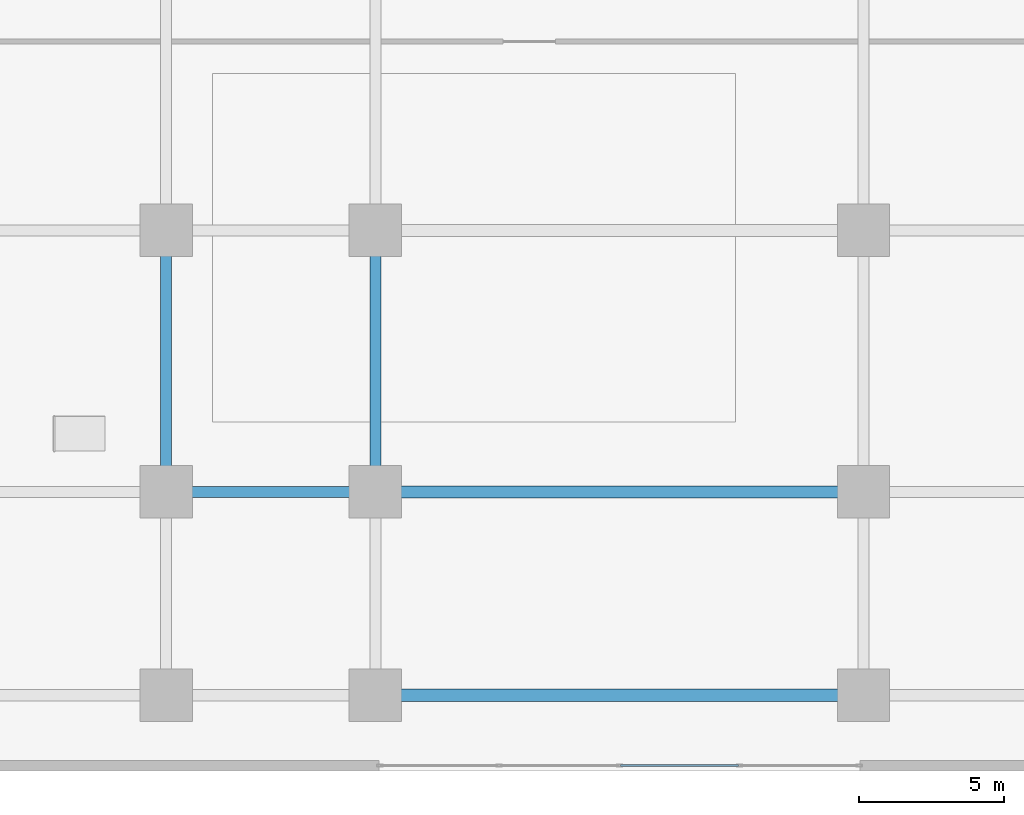
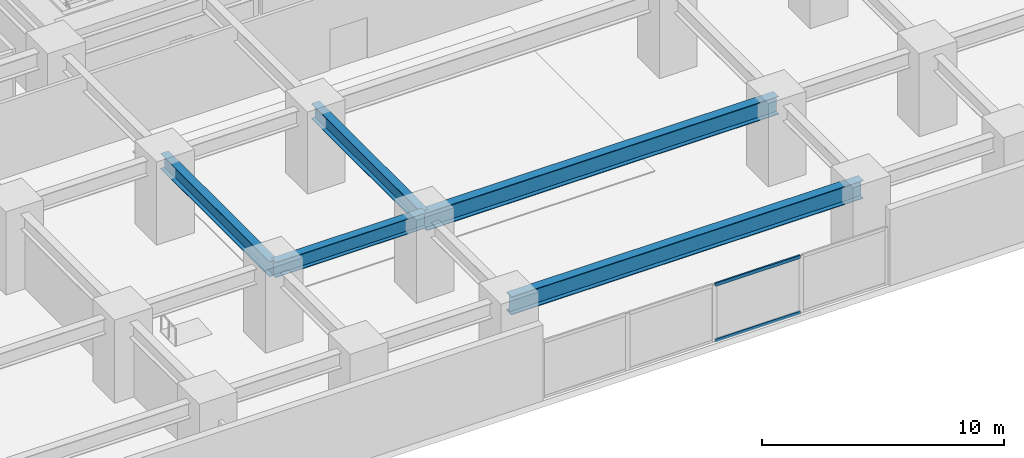
# One storey, part 3 of 22: 5 beams, 2 members, 1 element without a shape of its own.
"""IFC4 building model written with IfcOpenShell, lengths in metres."""

from ifc_helpers import new_model, si_unit, direction, frame, origin, origin_2d, place, context, subcontext, project, spatial, hollow_rectangle, i_section, extrude, material, layer, layer_set, material_profile, profile_set, type_object, element, aggregate, save


model = new_model("IFC4")

# Units and contexts
model_context = context("Model", 3, precision=1e-05, world=origin(), true_north=direction((0.0, 1.0)))
body_context = subcontext(model_context, "Body", "Model", "MODEL_VIEW")
ifc_project = project(units=[si_unit("LENGTHUNIT", "METRE"), si_unit("AREAUNIT", "SQUARE_METRE"), si_unit("VOLUMEUNIT", "CUBIC_METRE"), si_unit("PLANEANGLEUNIT", "RADIAN"), si_unit("MASSUNIT", "GRAM", prefix="KILO")], contexts=[model_context])

# Site, building, storey
site_placement = place(None, origin())
site = spatial("IfcSite", under=ifc_project, at=site_placement, CompositionType="ELEMENT")
building_placement = place(site_placement, origin())
building = spatial("IfcBuilding", under=site, at=building_placement, Name="Kiyonajd Concourse Tower", CompositionType="ELEMENT")
storey_placement = place(building_placement, frame((0.0, 0.0, 12.89990234375)))
storey = spatial("IfcBuildingStorey", under=building, at=storey_placement, Name="L04", CompositionType="ELEMENT", Elevation=12.89990234375)

# Beams
ifc_material_1 = material(Name="Steel ASTM A992 Grade 50", Category="steel")
ifc_material_profile_1 = material_profile(ifc_material_1, i_section(OverallWidth=0.41796875, OverallDepth=0.912109375, WebThickness=0.019287109375, FlangeThickness=0.031982421875, at=origin_2d()), Name="W920X342")
ifc_profile_set_1 = profile_set([ifc_material_profile_1], Name="Steel ASTM A992 Grade 50")
beam_type_1 = type_object("IfcBeamType", Name="BM-CON-920B", PredefinedType="BEAM", material=ifc_profile_set_1)
for number, where, z_axis, x_axis, name in (
    (1, (39.60009765625, 2.60009765625, 3.384033203125), (1.0, 0.0, 0.0), (0.0, 1.0, 0.0), "L04 Concourse Clear Span Girder"),
    (2, (39.60009765625, 9.60009765625, 3.384033203125), (1.0, 0.0, 0.0), (0.0, 1.0, 0.0), "L04 Concourse Clear Span Girder"),
):
    element("IfcBeam", number, at=place(storey_placement, frame(where, z_axis=z_axis, x_axis=x_axis)), inside=storey, type_object=beam_type_1, Name=name, PredefinedType="BEAM", context=body_context, shape_type="SweptSolid", body=[
        extrude(i_section(OverallWidth=0.41796875, OverallDepth=0.912109375, WebThickness=0.019287109375, FlangeThickness=0.031982421875, at=origin_2d()), origin(), (0.0, 0.0, 1.0), 16.7998046875),
    ])
ifc_material_profile_2 = material_profile(ifc_material_1, i_section(OverallWidth=0.381103515625, OverallDepth=0.77294921875, WebThickness=0.0166015625, FlangeThickness=0.027099609375, at=origin_2d()), Name="W760X257")
ifc_profile_set_2 = profile_set([ifc_material_profile_2], Name="Steel ASTM A992 Grade 50")
beam_type_2 = type_object("IfcBeamType", Name="BM-POD-760", PredefinedType="BEAM", material=ifc_profile_set_2)
beam_placement = place(storey_placement, frame((32.39990234375, 9.60009765625, 3.45361328125), z_axis=(1.0, 0.0, 0.0), x_axis=(0.0, 1.0, 0.0)))
element("IfcBeam", 3, at=beam_placement, inside=storey, type_object=beam_type_2, Name="L04 Podium Primary Beam", PredefinedType="BEAM", context=body_context, shape_type="SweptSolid", body=[
    extrude(i_section(OverallWidth=0.381103515625, OverallDepth=0.77294921875, WebThickness=0.0166015625, FlangeThickness=0.027099609375, at=origin_2d()), origin(), (0.0, 0.0, 1.0), 7.2001953125),
])
for number, where, z_axis, x_axis, name in (
    (4, (32.39990234375, 9.60009765625, 3.45361328125), (0.0, 1.0, 0.0), (-1.0, 0.0, 0.0), "L04 Podium North South Beam"),
    (5, (39.60009765625, 9.60009765625, 3.45361328125), (0.0, 1.0, 0.0), (-1.0, 0.0, 0.0), "L04 Podium North South Beam"),
):
    element("IfcBeam", number, at=place(storey_placement, frame(where, z_axis=z_axis, x_axis=x_axis)), inside=storey, type_object=beam_type_2, Name=name, PredefinedType="BEAM", context=body_context, shape_type="SweptSolid", body=[
        extrude(i_section(OverallWidth=0.381103515625, OverallDepth=0.77294921875, WebThickness=0.0166015625, FlangeThickness=0.027099609375, at=origin_2d()), origin(), (0.0, 0.0, 1.0), 9.0),
    ])

# Curtain wall, members
ifc_material_2 = material(Name="Thermally Broken Anodised Aluminium", Category="aluminium")
ifc_layer = layer(ifc_material_2, 0.179931640625)
ifc_layer_set = layer_set([ifc_layer], Name="Thermally Broken Anodised Aluminium")
curtain_wall_type = type_object("IfcCurtainWallType", Name="CW-SYS-01", PredefinedType="NOTDEFINED", material=ifc_layer_set)
curtain_wall_placement = place(storey_placement, origin())
curtain_wall = element("IfcCurtainWall", 6, at=curtain_wall_placement, inside=storey, type_object=curtain_wall_type, Name="L04 Unitised Curtain Wall CW1", PredefinedType="NOTDEFINED")
ifc_material_profile_3 = material_profile(ifc_material_2, hollow_rectangle(XDim=0.074951171875, YDim=0.159912109375, WallThickness=0.0048828125, at=origin_2d()), Name="TRAN-75x160")
ifc_profile_set_3 = profile_set([ifc_material_profile_3], Name="Thermally Broken Anodised Aluminium")
member_type = type_object("IfcMemberType", Name="MB-CW-TRAN2", PredefinedType="USERDEFINED", material=ifc_profile_set_3)
member_1_placement = place(storey_placement, frame((52.1025390625, 0.179931640625, 0.03759765625), z_axis=(-1.0, 0.0, 0.0), x_axis=(0.0, -1.0, 0.0)))
member_1 = element("IfcMember", 7, at=member_1_placement, type_object=member_type, Name="CW1 transom 2.1", ObjectType="TRANSOM", PredefinedType="USERDEFINED", context=body_context, shape_type="SweptSolid", body=[
    extrude(hollow_rectangle(XDim=0.074951171875, YDim=0.159912109375, WallThickness=0.0048828125, at=origin_2d()), origin(), (0.0, 0.0, 1.0), 4.06494140625),
])
member_2_placement = place(storey_placement, frame((52.1025390625, 0.179931640625, 2.8525390625), z_axis=(-1.0, 0.0, 0.0), x_axis=(0.0, -1.0, 0.0)))
member_2 = element("IfcMember", 8, at=member_2_placement, type_object=member_type, Name="CW1 transom 2.2", ObjectType="TRANSOM", PredefinedType="USERDEFINED", context=body_context, shape_type="SweptSolid", body=[
    extrude(hollow_rectangle(XDim=0.074951171875, YDim=0.159912109375, WallThickness=0.0048828125, at=origin_2d()), origin(), (0.0, 0.0, 1.0), 4.06494140625),
])
aggregate(curtain_wall, [member_1, member_2])

save(model, "model.ifc")
